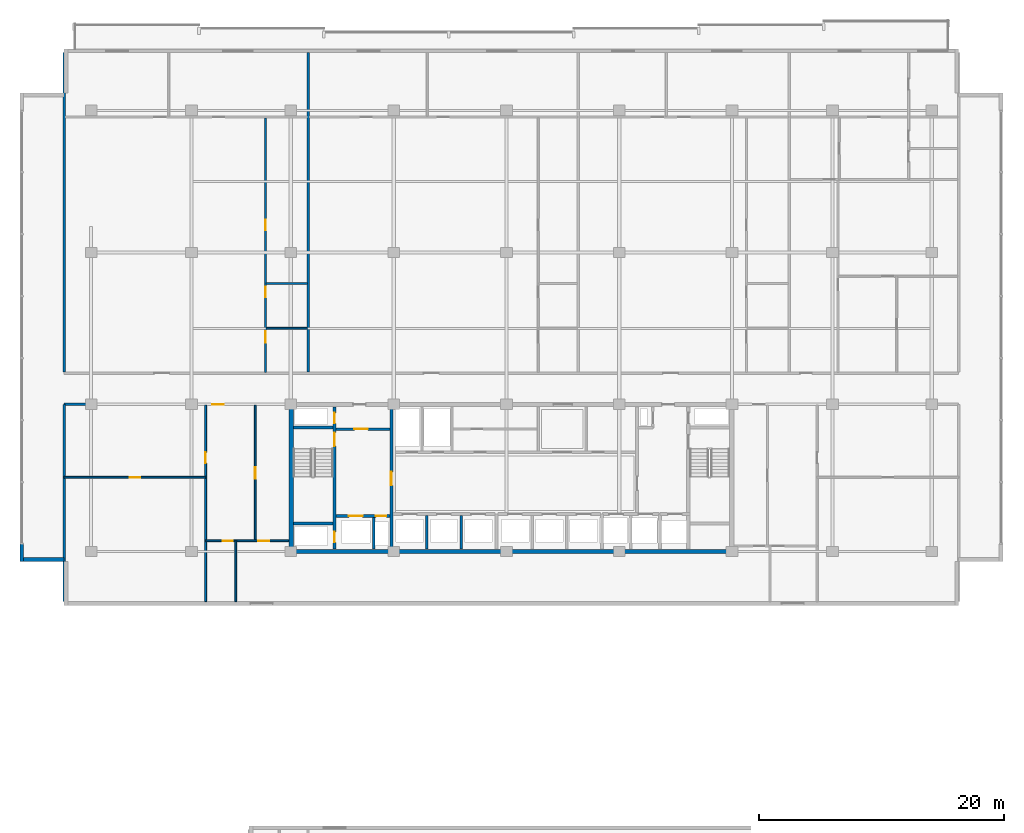
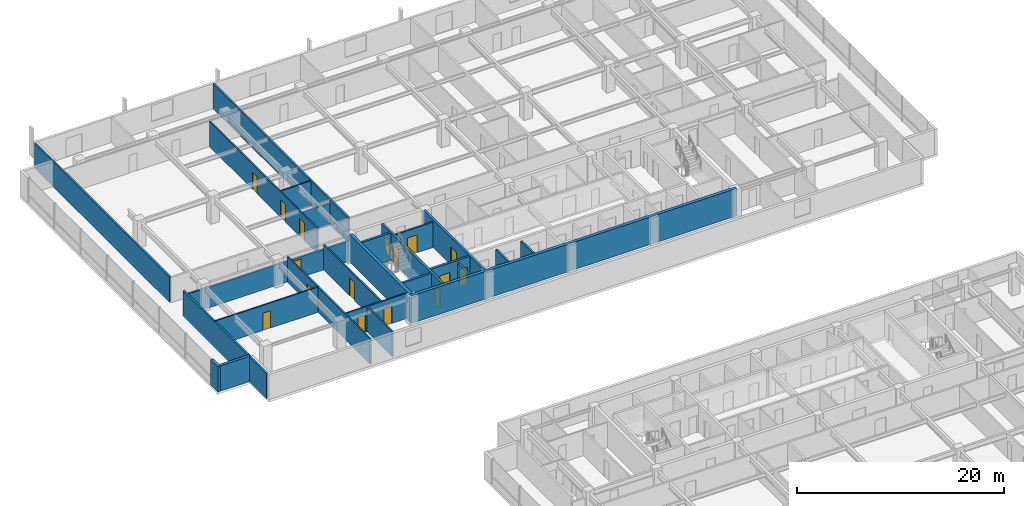
# One storey, part 27 of 38: 25 walls, 16 doors, 16 openings.
"""IFC4 building model written with IfcOpenShell, lengths in metres."""

from ifc_helpers import new_model, si_unit, direction, frame, frame_2d, origin, place, context, subcontext, project, spatial, rectangle, extrude, material, layer, layer_set, type_object, element, fill, save


model = new_model("IFC4")

# Units and contexts
model_context = context("Model", 3, precision=1e-05, world=origin(), true_north=direction((0.0, 1.0)))
body_context = subcontext(model_context, "Body", "Model", "MODEL_VIEW")
ifc_project = project(units=[si_unit("LENGTHUNIT", "METRE"), si_unit("AREAUNIT", "SQUARE_METRE"), si_unit("VOLUMEUNIT", "CUBIC_METRE"), si_unit("PLANEANGLEUNIT", "RADIAN"), si_unit("MASSUNIT", "GRAM", prefix="KILO")], contexts=[model_context])

# Site, building, storey
site_placement = place(None, origin())
site = spatial("IfcSite", under=ifc_project, at=site_placement, CompositionType="ELEMENT")
building_placement = place(site_placement, origin())
building = spatial("IfcBuilding", under=site, at=building_placement, Name="Korimba Cascade Residences", CompositionType="ELEMENT")
storey_placement = place(building_placement, frame((0.0, 0.0, 93.800048828125)))
storey = spatial("IfcBuildingStorey", under=building, at=storey_placement, Name="L26", CompositionType="ELEMENT", Elevation=93.800048828125)

# Walls
ifc_material_1 = material(Name="Precast concrete C40/50", Category="concrete")
ifc_layer_1 = layer(ifc_material_1, 0.300048828125)
ifc_layer_set_1 = layer_set([ifc_layer_1], Name="Precast concrete C40/50")
wall_type_1 = type_object("IfcWallType", Name="EW-STONE-300", PredefinedType="STANDARD", material=ifc_layer_set_1)
wall_1_placement = place(storey_placement, frame((54.14990234375, 55.800048828125, 0.0), z_axis=(0.0, 0.0, 1.0), x_axis=(0.0, -1.0, 0.0)))
element("IfcWall", 1, at=wall_1_placement, inside=storey, type_object=wall_type_1, Name="L26 T1 Sky Pier 9B", PredefinedType="STANDARD", context=body_context, shape_type="SweptSolid", body=[
    extrude(rectangle(XDim=1.400146484375, YDim=0.300048828125, at=frame_2d((0.7001953125, 0.0))), origin(), (0.0, 0.0, 1.0), 2.969970703125),
])
wall_2_placement = place(storey_placement, frame((54.0, 54.550048828125, 0.0), z_axis=(0.0, 0.0, 1.0), x_axis=(1.0, 0.0, 0.0)))
element("IfcWall", 2, at=wall_2_placement, inside=storey, type_object=wall_type_1, Name="L26 T1 Perimeter Stone Wall E10", PredefinedType="STANDARD", context=body_context, shape_type="SweptSolid", body=[
    extrude(rectangle(XDim=3.60009765625, YDim=0.300048828125, at=frame_2d((1.800048828125, 0.0))), origin(), (0.0, 0.0, 1.0), 2.969970703125),
])
ifc_material_2 = material(Name="Concrete C65/80", Category="concrete")
ifc_layer_2 = layer(ifc_material_2, 0.35009765625)
ifc_layer_set_2 = layer_set([ifc_layer_2], Name="Concrete C65/80")
wall_type_2 = type_object("IfcWallType", Name="WAL-CORE-350", PredefinedType="SHEAR", material=ifc_layer_set_2)
wall_3_placement = place(storey_placement, frame((75.949951171875, 55.199951171875, 0.0), z_axis=(0.0, 0.0, 1.0), x_axis=(1.0, 0.0, 0.0)))
element("IfcWall", 3, at=wall_3_placement, inside=storey, type_object=wall_type_2, Name="L26 Core Shear Wall CW-L26-T1-S", PredefinedType="SHEAR", context=body_context, shape_type="SweptSolid", body=[
    extrude(rectangle(XDim=36.300048828125, YDim=0.35009765625, at=frame_2d((18.14990234375, 0.0))), origin(), (0.0, 0.0, 1.0), 3.25),
])
wall_4_placement = place(storey_placement, frame((76.125, 55.375, 0.0), z_axis=(0.0, 0.0, 1.0), x_axis=(0.0, 1.0, 0.0)))
element("IfcWall", 4, at=wall_4_placement, inside=storey, type_object=wall_type_2, Name="L26 Core Shear Wall CW-L26-T1-W", PredefinedType="SHEAR", context=body_context, shape_type="SweptSolid", body=[
    extrude(rectangle(XDim=11.64990234375, YDim=0.35009765625, at=frame_2d((5.824951171875, 0.0))), origin(), (0.0, 0.0, 1.0), 3.25),
])
ifc_layer_3 = layer(ifc_material_1, 0.199951171875)
ifc_layer_set_3 = layer_set([ifc_layer_3], Name="Precast concrete C40/50")
wall_type_3 = type_object("IfcWallType", Name="WAL-IT-200", PredefinedType="PARTITIONING", material=ifc_layer_set_3)
wall_5_placement = place(storey_placement, frame((57.60009765625, 51.10009765625, 0.0), z_axis=(0.0, 0.0, 1.0), x_axis=(0.0, 1.0, 0.0)))
element("IfcWall", 5, at=wall_5_placement, inside=storey, type_object=wall_type_3, Name="L26 Partition Wall WAL-L26-T1-FW-WL", PredefinedType="PARTITIONING", context=body_context, shape_type="SweptSolid", body=[
    extrude(rectangle(XDim=16.099853515625, YDim=0.199951171875, at=frame_2d((8.0498046875, 0.0))), origin(), (0.0, 0.0, 1.0), 2.969970703125),
])

# Wall, opening, door
wall_6_placement = place(storey_placement, frame((57.60009765625, 67.199951171875, 0.0), z_axis=(0.0, 0.0, 1.0), x_axis=(1.0, 0.0, 0.0)))
wall_6 = element("IfcWall", 6, at=wall_6_placement, inside=storey, type_object=wall_type_3, Name="L26 Partition Wall WAL-L26-T1-FW-N", PredefinedType="PARTITIONING", context=body_context, shape_type="SweptSolid", body=[
    extrude(rectangle(XDim=18.349853515625, YDim=0.199951171875, at=frame_2d((9.1748046875, 0.0))), origin(), (0.0, 0.0, 1.0), 2.433349609375),
])
opening_1_placement = place(wall_6_placement, frame((12.07470703125, 0.0, 0.0)))
opening_1 = element("IfcOpeningElement", 7, at=opening_1_placement, cuts=wall_6, Name="Opening D-UN1", PredefinedType="OPENING", context=body_context, shape_type="SweptSolid", body=[
    extrude(rectangle(XDim=0.949951171875, YDim=2.14990234375, at=frame_2d((0.47509765625, 1.074951171875))), frame((0.0, 0.10986328125, 0.0), z_axis=(0.0, -1.0, 0.0), x_axis=(1.0, 0.0, 0.0)), (0.0, 0.0, 1.0), 0.219970703125),
])
ifc_material_3 = material(Name="Fire-Rated Hardwood Apartment Entrance Door", Category="wood")
door_type_1 = type_object("IfcDoorType", Name="DR-FD60-950", OperationType="NOTDEFINED", PredefinedType="DOOR", material=ifc_material_3)
door_1_placement = place(opening_1_placement, origin())
door_1 = element("IfcDoor", 8, at=door_1_placement, inside=storey, type_object=door_type_1, Name="L26-T1-FW Entrance Door", OperationType="SINGLE_SWING_LEFT", OverallHeight=2.14990234375, OverallWidth=0.949951171875, PredefinedType="DOOR", context=body_context, shape_type="SweptSolid", body=[
    extrude(rectangle(XDim=0.949951171875, YDim=2.14990234375, at=frame_2d((0.47509765625, 1.074951171875))), frame((0.0, 0.02490234375, 0.0), z_axis=(0.0, -1.0, 0.0), x_axis=(1.0, 0.0, 0.0)), (0.0, 0.0, 1.0), 0.050048828125),
])
fill(opening_1, door_1)

# Walls
for number, where, z_axis, x_axis, name in (
    (9, (57.60009765625, 69.830078125, 0.0), (0.0, 0.0, 1.0), (0.0, 1.0, 0.0), "L26 Partition Wall WAL-L26-T1-BNDWL"),
    (10, (77.5283203125, 69.830078125, 0.0), (0.0, 0.0, 1.0), (0.0, 1.0, 0.0), "L26 Partition Wall WAL-L26-T1-DEM-1"),
):
    element("IfcWall", number, at=place(storey_placement, frame(where, z_axis=z_axis, x_axis=x_axis)), inside=storey, type_object=wall_type_3, Name=name, PredefinedType="PARTITIONING", context=body_context, shape_type="SweptSolid", body=[
        extrude(rectangle(XDim=26.06982421875, YDim=0.199951171875, at=frame_2d((13.034912109375, 0.0))), origin(), (0.0, 0.0, 1.0), 2.969970703125),
    ])

# Wall, opening, door
ifc_material_4 = material(Name="Insulated Acoustic Stud Partition", Category="gypsum")
ifc_layer_4 = layer(ifc_material_4, 0.14990234375)
ifc_layer_set_4 = layer_set([ifc_layer_4], Name="Insulated Acoustic Stud Partition")
wall_type_4 = type_object("IfcWallType", Name="WAL-PART-150", PredefinedType="PARTITIONING", material=ifc_layer_set_4)
wall_7_placement = place(storey_placement, frame((57.60009765625, 61.25, 0.0), z_axis=(0.0, 0.0, 1.0), x_axis=(1.0, 0.0, 0.0)))
wall_7 = element("IfcWall", 11, at=wall_7_placement, inside=storey, type_object=wall_type_4, Name="L26 Partition Wall WAL-L26-T1-FW-STH", PredefinedType="PARTITIONING", context=body_context, shape_type="SweptSolid", body=[
    extrude(rectangle(XDim=11.5498046875, YDim=0.14990234375, at=frame_2d((5.77490234375, 0.0))), origin(), (0.0, 0.0, 1.0), 2.969970703125),
])
opening_2_placement = place(wall_7_placement, frame((5.35498046875, 0.0, 0.0)))
opening_2 = element("IfcOpeningElement", 12, at=opening_2_placement, cuts=wall_7, Name="Opening D-BT1", PredefinedType="OPENING", context=body_context, shape_type="SweptSolid", body=[
    extrude(rectangle(XDim=0.840087890625, YDim=2.0400390625, at=frame_2d((0.419921875, 1.02001953125))), frame((0.0, 0.0849609375, 0.0), z_axis=(0.0, -1.0, 0.0), x_axis=(1.0, 0.0, 0.0)), (0.0, 0.0, 1.0), 0.169921875),
])
ifc_material_5 = material(Name="Moisture-Resistant Bathroom Timber Door", Category="wood")
door_type_2 = type_object("IfcDoorType", Name="DR-INT-850", OperationType="NOTDEFINED", PredefinedType="DOOR", material=ifc_material_5)
door_2_placement = place(opening_2_placement, origin())
door_2 = element("IfcDoor", 13, at=door_2_placement, inside=storey, type_object=door_type_2, Name="L26-T1-FW Dressing Store Door", OperationType="SINGLE_SWING_RIGHT", OverallHeight=2.0400390625, OverallWidth=0.840087890625, PredefinedType="DOOR", context=body_context, shape_type="SweptSolid", body=[
    extrude(rectangle(XDim=0.840087890625, YDim=2.0400390625, at=frame_2d((0.419921875, 1.02001953125))), frame((0.0, 0.02490234375, 0.0), z_axis=(0.0, -1.0, 0.0), x_axis=(1.0, 0.0, 0.0)), (0.0, 0.0, 1.0), 0.050048828125),
])
fill(opening_2, door_2)

wall_8_placement = place(storey_placement, frame((69.14990234375, 51.10009765625, 0.0), z_axis=(0.0, 0.0, 1.0), x_axis=(0.0, 1.0, 0.0)))
wall_8 = element("IfcWall", 14, at=wall_8_placement, inside=storey, type_object=wall_type_4, Name="L26 Partition Wall WAL-L26-T1-FW-STV", PredefinedType="PARTITIONING", context=body_context, shape_type="SweptSolid", body=[
    extrude(rectangle(XDim=16.0498046875, YDim=0.14990234375, at=frame_2d((8.02490234375, 0.0))), origin(), (0.0, 0.0, 1.0), 2.969970703125),
])
opening_3_placement = place(wall_8_placement, frame((11.300048828125, 0.0, 0.0)))
opening_3 = element("IfcOpeningElement", 15, at=opening_3_placement, cuts=wall_8, Name="Opening D-IN2", PredefinedType="OPENING", context=body_context, shape_type="SweptSolid", body=[
    extrude(rectangle(XDim=0.8798828125, YDim=2.06005859375, at=frame_2d((0.43994140625, 1.030029296875))), frame((0.0, 0.0849609375, 0.0), z_axis=(0.0, -1.0, 0.0), x_axis=(1.0, 0.0, 0.0)), (0.0, 0.0, 1.0), 0.169921875),
])
ifc_material_6 = material(Name="Acoustic Timber Bedroom Door", Category="wood")
door_type_3 = type_object("IfcDoorType", Name="DR-INT-880", OperationType="NOTDEFINED", PredefinedType="DOOR", material=ifc_material_6)
door_3_placement = place(opening_3_placement, origin())
door_3 = element("IfcDoor", 16, at=door_3_placement, inside=storey, type_object=door_type_3, Name="L26-T1-FW Study Door", OperationType="SINGLE_SWING_LEFT", OverallHeight=2.06005859375, OverallWidth=0.8798828125, PredefinedType="DOOR", context=body_context, shape_type="SweptSolid", body=[
    extrude(rectangle(XDim=0.8798828125, YDim=2.06005859375, at=frame_2d((0.43994140625, 1.030029296875))), frame((0.0, 0.02490234375, 0.0), z_axis=(0.0, -1.0, 0.0), x_axis=(1.0, 0.0, 0.0)), (0.0, 0.0, 1.0), 0.050048828125),
])
fill(opening_3, door_3)

wall_9_placement = place(storey_placement, frame((73.199951171875, 56.070068359375, 0.0), z_axis=(0.0, 0.0, 1.0), x_axis=(0.0, 1.0, 0.0)))
wall_9 = element("IfcWall", 17, at=wall_9_placement, inside=storey, type_object=wall_type_4, Name="L26 Partition Wall WAL-L26-T1-FW-VN", PredefinedType="PARTITIONING", context=body_context, shape_type="SweptSolid", body=[
    extrude(rectangle(XDim=11.079833984375, YDim=0.14990234375, at=frame_2d((5.5400390625, 0.0))), origin(), (0.0, 0.0, 1.0), 2.969970703125),
])
opening_4_placement = place(wall_9_placement, frame((5.080078125, 0.0, 0.0)))
opening_4 = element("IfcOpeningElement", 18, at=opening_4_placement, cuts=wall_9, Name="Opening D-IN1", PredefinedType="OPENING", context=body_context, shape_type="SweptSolid", body=[
    extrude(rectangle(XDim=0.919921875, YDim=2.080078125, at=frame_2d((0.4599609375, 1.0400390625))), frame((0.0, 0.0849609375, 0.0), z_axis=(0.0, -1.0, 0.0), x_axis=(1.0, 0.0, 0.0)), (0.0, 0.0, 1.0), 0.169921875),
])
ifc_material_7 = material(Name="Acoustic Timber Living Door", Category="wood")
door_type_4 = type_object("IfcDoorType", Name="DR-INT-920", OperationType="NOTDEFINED", PredefinedType="DOOR", material=ifc_material_7)
door_4_placement = place(opening_4_placement, origin())
door_4 = element("IfcDoor", 19, at=door_4_placement, inside=storey, type_object=door_type_4, Name="L26-T1-FW Living Door", OperationType="SINGLE_SWING_RIGHT", OverallHeight=2.080078125, OverallWidth=0.919921875, PredefinedType="DOOR", context=body_context, shape_type="SweptSolid", body=[
    extrude(rectangle(XDim=0.919921875, YDim=2.080078125, at=frame_2d((0.4599609375, 1.0400390625))), frame((0.0, 0.02490234375, 0.0), z_axis=(0.0, -1.0, 0.0), x_axis=(1.0, 0.0, 0.0)), (0.0, 0.0, 1.0), 0.050048828125),
])
fill(opening_4, door_4)

# Wall
wall_10_placement = place(storey_placement, frame((71.60009765625, 51.10009765625, 0.0), z_axis=(0.0, 0.0, 1.0), x_axis=(0.0, 1.0, 0.0)))
element("IfcWall", 20, at=wall_10_placement, inside=storey, type_object=wall_type_4, Name="L26 Partition Wall WAL-L26-T1-FW-VS", PredefinedType="PARTITIONING", context=body_context, shape_type="SweptSolid", body=[
    extrude(rectangle(XDim=4.969970703125, YDim=0.14990234375, at=frame_2d((2.48486328125, 0.0))), origin(), (0.0, 0.0, 1.0), 2.969970703125),
])

# Wall, openings, doors
wall_11_placement = place(storey_placement, frame((69.169921875, 56.070068359375, 0.0), z_axis=(0.0, 0.0, 1.0), x_axis=(1.0, 0.0, 0.0)))
wall_11 = element("IfcWall", 21, at=wall_11_placement, inside=storey, type_object=wall_type_4, Name="L26 Partition Wall WAL-L26-T1-FW-H", PredefinedType="PARTITIONING", context=body_context, shape_type="SweptSolid", body=[
    extrude(rectangle(XDim=6.760009765625, YDim=0.14990234375, at=frame_2d((3.3798828125, 0.0))), origin(), (0.0, 0.0, 1.0), 2.969970703125),
])
opening_5_placement = place(wall_11_placement, frame((1.3623046875, 0.0, 0.0)))
opening_5 = element("IfcOpeningElement", 22, at=opening_5_placement, cuts=wall_11, Name="Opening D-BT1", PredefinedType="OPENING", context=body_context, shape_type="SweptSolid", body=[
    extrude(rectangle(XDim=0.840087890625, YDim=2.0400390625, at=frame_2d((0.419921875, 1.02001953125))), frame((0.0, 0.0849609375, 0.0), z_axis=(0.0, -1.0, 0.0), x_axis=(1.0, 0.0, 0.0)), (0.0, 0.0, 1.0), 0.169921875),
])
opening_6_placement = place(wall_11_placement, frame((4.276611328125, 0.0, 0.0)))
opening_6 = element("IfcOpeningElement", 23, at=opening_6_placement, cuts=wall_11, Name="Opening D-IN2", PredefinedType="OPENING", context=body_context, shape_type="SweptSolid", body=[
    extrude(rectangle(XDim=0.8798828125, YDim=2.06005859375, at=frame_2d((0.43994140625, 1.030029296875))), frame((0.0, 0.0849609375, 0.0), z_axis=(0.0, -1.0, 0.0), x_axis=(1.0, 0.0, 0.0)), (0.0, 0.0, 1.0), 0.169921875),
])
door_5_placement = place(opening_5_placement, origin())
door_5 = element("IfcDoor", 24, at=door_5_placement, inside=storey, type_object=door_type_2, Name="L26-T1-FW Bathroom Door", OperationType="SINGLE_SWING_LEFT", OverallHeight=2.0400390625, OverallWidth=0.840087890625, PredefinedType="DOOR", context=body_context, shape_type="SweptSolid", body=[
    extrude(rectangle(XDim=0.840087890625, YDim=2.0400390625, at=frame_2d((0.419921875, 1.02001953125))), frame((0.0, 0.02490234375, 0.0), z_axis=(0.0, -1.0, 0.0), x_axis=(1.0, 0.0, 0.0)), (0.0, 0.0, 1.0), 0.050048828125),
])
fill(opening_5, door_5)
door_6_placement = place(opening_6_placement, origin())
door_6 = element("IfcDoor", 25, at=door_6_placement, inside=storey, type_object=door_type_3, Name="L26-T1-FW Bedroom Door", OperationType="SINGLE_SWING_RIGHT", OverallHeight=2.06005859375, OverallWidth=0.8798828125, PredefinedType="DOOR", context=body_context, shape_type="SweptSolid", body=[
    extrude(rectangle(XDim=0.8798828125, YDim=2.06005859375, at=frame_2d((0.43994140625, 1.030029296875))), frame((0.0, 0.02490234375, 0.0), z_axis=(0.0, -1.0, 0.0), x_axis=(1.0, 0.0, 0.0)), (0.0, 0.0, 1.0), 0.050048828125),
])
fill(opening_6, door_6)

# Walls
wall_12_placement = place(storey_placement, frame((74.08837890625, 73.419921875, 0.0), z_axis=(0.0, 0.0, 1.0), x_axis=(1.0, 0.0, 0.0)))
element("IfcWall", 26, at=wall_12_placement, inside=storey, type_object=wall_type_4, Name="L26 Partition Wall WAL-L26-T1-U01-WCH", PredefinedType="PARTITIONING", context=body_context, shape_type="SweptSolid", body=[
    extrude(rectangle(XDim=3.360107421875, YDim=0.14990234375, at=frame_2d((1.68017578125, 0.0))), origin(), (0.0, 0.0, 1.0), 2.560546875),
])
wall_13_placement = place(storey_placement, frame((74.08837890625, 77.070068359375, 0.0), z_axis=(0.0, 0.0, 1.0), x_axis=(1.0, 0.0, 0.0)))
element("IfcWall", 27, at=wall_13_placement, inside=storey, type_object=wall_type_4, Name="L26 Partition Wall WAL-L26-T1-U01-WCH2", PredefinedType="PARTITIONING", context=body_context, shape_type="SweptSolid", body=[
    extrude(rectangle(XDim=3.360107421875, YDim=0.14990234375, at=frame_2d((1.68017578125, 0.0))), origin(), (0.0, 0.0, 1.0), 2.969970703125),
])

# Wall, openings, doors
wall_14_placement = place(storey_placement, frame((74.0283203125, 69.81005859375, 0.0), z_axis=(0.0, 0.0, 1.0), x_axis=(0.0, 1.0, 0.0)))
wall_14 = element("IfcWall", 28, at=wall_14_placement, inside=storey, type_object=wall_type_4, Name="L26 Partition Wall WAL-L26-T1-U01-WCV", PredefinedType="PARTITIONING", context=body_context, shape_type="SweptSolid", body=[
    extrude(rectangle(XDim=20.780029296875, YDim=0.14990234375, at=frame_2d((10.39013671875, 0.0))), origin(), (0.0, 0.0, 1.0), 2.969970703125),
])
opening_7_placement = place(wall_14_placement, frame((2.406005859375, 0.0, 0.0)))
opening_7 = element("IfcOpeningElement", 29, at=opening_7_placement, cuts=wall_14, Name="Opening D-AC1", PredefinedType="OPENING", context=body_context, shape_type="SweptSolid", body=[
    extrude(rectangle(XDim=0.9599609375, YDim=2.10009765625, at=frame_2d((0.47998046875, 1.050048828125))), frame((0.0, 0.0849609375, 0.0), z_axis=(0.0, -1.0, 0.0), x_axis=(1.0, 0.0, 0.0)), (0.0, 0.0, 1.0), 0.169921875),
])
opening_8_placement = place(wall_14_placement, frame((6.132568359375, 0.0, 0.0)))
opening_8 = element("IfcOpeningElement", 30, at=opening_8_placement, cuts=wall_14, Name="Opening D-IN2", PredefinedType="OPENING", context=body_context, shape_type="SweptSolid", body=[
    extrude(rectangle(XDim=0.8798828125, YDim=2.06005859375, at=frame_2d((0.43994140625, 1.030029296875))), frame((0.0, 0.0849609375, 0.0), z_axis=(0.0, -1.0, 0.0), x_axis=(1.0, 0.0, 0.0)), (0.0, 0.0, 1.0), 0.169921875),
])
opening_9_placement = place(wall_14_placement, frame((11.61474609375, 0.0, 0.0)))
opening_9 = element("IfcOpeningElement", 31, at=opening_9_placement, cuts=wall_14, Name="Opening D-BT1", PredefinedType="OPENING", context=body_context, shape_type="SweptSolid", body=[
    extrude(rectangle(XDim=0.840087890625, YDim=2.0400390625, at=frame_2d((0.419921875, 1.02001953125))), frame((0.0, 0.0849609375, 0.0), z_axis=(0.0, -1.0, 0.0), x_axis=(1.0, 0.0, 0.0)), (0.0, 0.0, 1.0), 0.169921875),
])
ifc_material_8 = material(Name="Accessible Acoustic Timber WC Door", Category="wood")
door_type_5 = type_object("IfcDoorType", Name="DR-ACC-950", OperationType="NOTDEFINED", PredefinedType="DOOR", material=ifc_material_8)
door_7_placement = place(opening_7_placement, origin())
door_7 = element("IfcDoor", 32, at=door_7_placement, inside=storey, type_object=door_type_5, Name="L26-T1-U01 Accessible WC Door", OperationType="SINGLE_SWING_RIGHT", OverallHeight=2.10009765625, OverallWidth=0.9599609375, PredefinedType="DOOR", context=body_context, shape_type="SweptSolid", body=[
    extrude(rectangle(XDim=0.9599609375, YDim=2.10009765625, at=frame_2d((0.47998046875, 1.050048828125))), frame((0.0, 0.02490234375, 0.0), z_axis=(0.0, -1.0, 0.0), x_axis=(1.0, 0.0, 0.0)), (0.0, 0.0, 1.0), 0.050048828125),
])
fill(opening_7, door_7)
door_8_placement = place(opening_9_placement, origin())
door_8 = element("IfcDoor", 33, at=door_8_placement, inside=storey, type_object=door_type_2, Name="L26-T1-U01 Suite Store Door", OperationType="SINGLE_SWING_RIGHT", OverallHeight=2.0400390625, OverallWidth=0.840087890625, PredefinedType="DOOR", context=body_context, shape_type="SweptSolid", body=[
    extrude(rectangle(XDim=0.840087890625, YDim=2.0400390625, at=frame_2d((0.419921875, 1.02001953125))), frame((0.0, 0.02490234375, 0.0), z_axis=(0.0, -1.0, 0.0), x_axis=(1.0, 0.0, 0.0)), (0.0, 0.0, 1.0), 0.050048828125),
])
fill(opening_9, door_8)
door_9_placement = place(opening_8_placement, origin())
door_9 = element("IfcDoor", 34, at=door_9_placement, inside=storey, type_object=door_type_3, Name="L26-T1-U01 Restroom WC Door", OperationType="SINGLE_SWING_LEFT", OverallHeight=2.06005859375, OverallWidth=0.8798828125, PredefinedType="DOOR", context=body_context, shape_type="SweptSolid", body=[
    extrude(rectangle(XDim=0.8798828125, YDim=2.06005859375, at=frame_2d((0.43994140625, 1.030029296875))), frame((0.0, 0.02490234375, 0.0), z_axis=(0.0, -1.0, 0.0), x_axis=(1.0, 0.0, 0.0)), (0.0, 0.0, 1.0), 0.050048828125),
])
fill(opening_8, door_9)

# Wall
ifc_material_9 = material(Name="Concrete C40/50", Category="concrete")
ifc_layer_5 = layer(ifc_material_9, 0.199951171875)
ifc_layer_set_5 = layer_set([ifc_layer_5], Name="Concrete C40/50")
wall_type_5 = type_object("IfcWallType", Name="WAL-PART-200", PredefinedType="PARTITIONING", material=ifc_layer_set_5)
wall_15_placement = place(storey_placement, frame((82.85009765625, 55.39990234375, 0.0), z_axis=(0.0, 0.0, 1.0), x_axis=(0.0, 1.0, 0.0)))
element("IfcWall", 35, at=wall_15_placement, inside=storey, type_object=wall_type_5, Name="L26 Partition Wall CW-L26-T1-FFLDIV", PredefinedType="PARTITIONING", context=body_context, shape_type="SweptSolid", body=[
    extrude(rectangle(XDim=2.56005859375, YDim=0.199951171875, at=frame_2d((1.280029296875, 0.0))), origin(), (0.0, 0.0, 1.0), 2.969970703125),
])

# Wall, opening, door
wall_16_placement = place(storey_placement, frame((79.7900390625, 65.179931640625, 0.0), z_axis=(0.0, 0.0, 1.0), x_axis=(1.0, 0.0, 0.0)))
wall_16 = element("IfcWall", 36, at=wall_16_placement, inside=storey, type_object=wall_type_5, Name="L26 Partition Wall CW-L26-T1-FFLN", PredefinedType="PARTITIONING", context=body_context, shape_type="SweptSolid", body=[
    extrude(rectangle(XDim=4.389892578125, YDim=0.199951171875, at=frame_2d((2.19482421875, 0.0))), origin(), (0.0, 0.0, 1.0), 2.969970703125),
])
opening_10_placement = place(wall_16_placement, frame((1.5, 0.0, 0.0)))
opening_10 = element("IfcOpeningElement", 37, at=opening_10_placement, cuts=wall_16, Name="Opening D-FD1", PredefinedType="OPENING", context=body_context, shape_type="SweptSolid", body=[
    extrude(rectangle(XDim=1.10009765625, YDim=2.10009765625, at=frame_2d((0.550048828125, 1.050048828125))), frame((0.0, 0.10986328125, 0.0), z_axis=(0.0, -1.0, 0.0), x_axis=(1.0, 0.0, 0.0)), (0.0, 0.0, 1.0), 0.219970703125),
])
ifc_material_10 = material(Name="Fire-Rated Steel Core Door", Category="steel")
door_type_6 = type_object("IfcDoorType", Name="DR-FD120-1100", OperationType="NOTDEFINED", PredefinedType="DOOR", material=ifc_material_10)
door_10_placement = place(opening_10_placement, origin())
door_10 = element("IfcDoor", 38, at=door_10_placement, inside=storey, type_object=door_type_6, Name="L26 West Firefighting Lobby Door", OperationType="SINGLE_SWING_LEFT", OverallHeight=2.10009765625, OverallWidth=1.10009765625, PredefinedType="DOOR", context=body_context, shape_type="SweptSolid", body=[
    extrude(rectangle(XDim=1.10009765625, YDim=2.10009765625, at=frame_2d((0.550048828125, 1.050048828125))), frame((0.0, 0.02490234375, 0.0), z_axis=(0.0, -1.0, 0.0), x_axis=(1.0, 0.0, 0.0)), (0.0, 0.0, 1.0), 0.050048828125),
])
fill(opening_10, door_10)

# Walls
for number, where, z_axis, x_axis, name in (
    (39, (87.199951171875, 55.39990234375, 0.0), (0.0, 0.0, 1.0), (0.0, 1.0, 0.0), "L26 Partition Wall CW-L26-T1-B1D1"),
    (40, (90.0, 55.39990234375, 0.0), (0.0, 0.0, 1.0), (0.0, 1.0, 0.0), "L26 Partition Wall CW-L26-T1-B1D2"),
):
    element("IfcWall", number, at=place(storey_placement, frame(where, z_axis=z_axis, x_axis=x_axis)), inside=storey, type_object=wall_type_5, Name=name, PredefinedType="PARTITIONING", context=body_context, shape_type="SweptSolid", body=[
        extrude(rectangle(XDim=2.72021484375, YDim=0.199951171875, at=frame_2d((1.360107421875, 0.0))), origin(), (0.0, 0.0, 1.0), 2.969970703125),
    ])

# Wall, openings, doors
ifc_material_11 = material(Name="Concrete C50/60", Category="concrete")
ifc_layer_6 = layer(ifc_material_11, 0.25)
ifc_layer_set_6 = layer_set([ifc_layer_6], Name="Concrete C50/60")
wall_type_6 = type_object("IfcWallType", Name="WAL-SHAFT-250", PredefinedType="SHEAR", material=ifc_layer_set_6)
wall_17_placement = place(storey_placement, frame((79.6650390625, 55.39990234375, 0.0), z_axis=(0.0, 0.0, 1.0), x_axis=(0.0, 1.0, 0.0)))
wall_17 = element("IfcWall", 41, at=wall_17_placement, inside=storey, type_object=wall_type_6, Name="L26 Core Shear Wall CW-L26-T1-STW1E", PredefinedType="SHEAR", context=body_context, shape_type="SweptSolid", body=[
    extrude(rectangle(XDim=11.60009765625, YDim=0.25, at=frame_2d((5.800048828125, 0.0))), origin(), (0.0, 0.0, 1.0), 3.25),
])
opening_11_placement = place(wall_17_placement, frame((0.550048828125, 0.0, 0.0)))
opening_11 = element("IfcOpeningElement", 42, at=opening_11_placement, cuts=wall_17, Name="Opening D-RS1", PredefinedType="OPENING", context=body_context, shape_type="SweptSolid", body=[
    extrude(rectangle(XDim=0.85009765625, YDim=2.050048828125, at=frame_2d((0.425048828125, 1.02490234375))), frame((0.0, 0.135009765625, 0.0), z_axis=(0.0, -1.0, 0.0), x_axis=(1.0, 0.0, 0.0)), (0.0, 0.0, 1.0), 0.27001953125),
])
opening_12_placement = place(wall_17_placement, frame((8.39990234375, 0.0, 0.0)))
opening_12 = element("IfcOpeningElement", 43, at=opening_12_placement, cuts=wall_17, Name="Opening D-FD1", PredefinedType="OPENING", context=body_context, shape_type="SweptSolid", body=[
    extrude(rectangle(XDim=1.10009765625, YDim=2.10009765625, at=frame_2d((0.550048828125, 1.050048828125))), frame((0.0, 0.135009765625, 0.0), z_axis=(0.0, -1.0, 0.0), x_axis=(1.0, 0.0, 0.0)), (0.0, 0.0, 1.0), 0.27001953125),
])
opening_13_placement = place(wall_17_placement, frame((10.25, 0.0, 0.0)))
opening_13 = element("IfcOpeningElement", 44, at=opening_13_placement, cuts=wall_17, Name="Opening D-RS1", PredefinedType="OPENING", context=body_context, shape_type="SweptSolid", body=[
    extrude(rectangle(XDim=0.85009765625, YDim=2.050048828125, at=frame_2d((0.425048828125, 1.02490234375))), frame((0.0, 0.135009765625, 0.0), z_axis=(0.0, -1.0, 0.0), x_axis=(1.0, 0.0, 0.0)), (0.0, 0.0, 1.0), 0.27001953125),
])
door_11_placement = place(opening_12_placement, origin())
door_11 = element("IfcDoor", 45, at=door_11_placement, inside=storey, type_object=door_type_6, Name="L26 Fire Stair ST-W1 Door", OperationType="SINGLE_SWING_RIGHT", OverallHeight=2.10009765625, OverallWidth=1.10009765625, PredefinedType="DOOR", context=body_context, shape_type="SweptSolid", body=[
    extrude(rectangle(XDim=1.10009765625, YDim=2.10009765625, at=frame_2d((0.550048828125, 1.050048828125))), frame((0.0, 0.02490234375, 0.0), z_axis=(0.0, -1.0, 0.0), x_axis=(1.0, 0.0, 0.0)), (0.0, 0.0, 1.0), 0.050048828125),
])
fill(opening_12, door_11)
ifc_material_12 = material(Name="Fire-Rated Steel Riser Access Door", Category="steel")
door_type_7 = type_object("IfcDoorType", Name="DR-FD60-850", OperationType="NOTDEFINED", PredefinedType="DOOR", material=ifc_material_12)
door_12_placement = place(opening_11_placement, origin())
door_12 = element("IfcDoor", 46, at=door_12_placement, inside=storey, type_object=door_type_7, Name="L26 Smoke Riser Access Door", OperationType="SINGLE_SWING_LEFT", OverallHeight=2.050048828125, OverallWidth=0.85009765625, PredefinedType="DOOR", context=body_context, shape_type="SweptSolid", body=[
    extrude(rectangle(XDim=0.85009765625, YDim=2.050048828125, at=frame_2d((0.425048828125, 1.02490234375))), frame((0.0, 0.02490234375, 0.0), z_axis=(0.0, -1.0, 0.0), x_axis=(1.0, 0.0, 0.0)), (0.0, 0.0, 1.0), 0.050048828125),
])
fill(opening_11, door_12)
door_13_placement = place(opening_13_placement, origin())
door_13 = element("IfcDoor", 47, at=door_13_placement, inside=storey, type_object=door_type_7, Name="L26 Hydrant Riser Access Door", OperationType="SINGLE_SWING_LEFT", OverallHeight=2.050048828125, OverallWidth=0.85009765625, PredefinedType="DOOR", context=body_context, shape_type="SweptSolid", body=[
    extrude(rectangle(XDim=0.85009765625, YDim=2.050048828125, at=frame_2d((0.425048828125, 1.02490234375))), frame((0.0, 0.02490234375, 0.0), z_axis=(0.0, -1.0, 0.0), x_axis=(1.0, 0.0, 0.0)), (0.0, 0.0, 1.0), 0.050048828125),
])
fill(opening_13, door_13)

# Walls
for number, where, z_axis, x_axis, name in (
    (48, (76.300048828125, 57.47509765625, 0.0), (0.0, 0.0, 1.0), (1.0, 0.0, 0.0), "L26 Core Shear Wall CW-L26-T1-STW1S"),
    (49, (76.300048828125, 65.324951171875, 0.0), (0.0, 0.0, 1.0), (1.0, 0.0, 0.0), "L26 Core Shear Wall CW-L26-T1-STW1N"),
):
    element("IfcWall", number, at=place(storey_placement, frame(where, z_axis=z_axis, x_axis=x_axis)), inside=storey, type_object=wall_type_6, Name=name, PredefinedType="SHEAR", context=body_context, shape_type="SweptSolid", body=[
        extrude(rectangle(XDim=3.239990234375, YDim=0.25, at=frame_2d((1.6201171875, 0.0))), origin(), (0.0, 0.0, 1.0), 3.25),
    ])

# Wall, openings, doors
wall_18_placement = place(storey_placement, frame((79.7900390625, 58.10009765625, 0.0), z_axis=(0.0, 0.0, 1.0), x_axis=(1.0, 0.0, 0.0)))
wall_18 = element("IfcWall", 50, at=wall_18_placement, inside=storey, type_object=wall_type_6, Name="L26 Core Shear Wall CW-L26-T1-FFLS", PredefinedType="SHEAR", context=body_context, shape_type="SweptSolid", body=[
    extrude(rectangle(XDim=4.389892578125, YDim=0.25, at=frame_2d((2.19482421875, 0.0))), origin(), (0.0, 0.0, 1.0), 3.25),
])
opening_14_placement = place(wall_18_placement, frame((1.050048828125, 0.0, 0.0)))
opening_14 = element("IfcOpeningElement", 51, at=opening_14_placement, cuts=wall_18, Name="Opening LD-01", PredefinedType="OPENING", context=body_context, shape_type="SweptSolid", body=[
    extrude(rectangle(XDim=1.1201171875, YDim=2.1201171875, at=frame_2d((0.56005859375, 1.06005859375))), frame((0.0, 0.135009765625, 0.0), z_axis=(0.0, -1.0, 0.0), x_axis=(1.0, 0.0, 0.0)), (0.0, 0.0, 1.0), 0.27001953125),
])
opening_15_placement = place(wall_18_placement, frame((3.260009765625, 0.0, 0.0)))
opening_15 = element("IfcOpeningElement", 52, at=opening_15_placement, cuts=wall_18, Name="Opening D-RS1", PredefinedType="OPENING", context=body_context, shape_type="SweptSolid", body=[
    extrude(rectangle(XDim=0.85009765625, YDim=2.050048828125, at=frame_2d((0.425048828125, 1.02490234375))), frame((0.0, 0.135009765625, 0.0), z_axis=(0.0, -1.0, 0.0), x_axis=(1.0, 0.0, 0.0)), (0.0, 0.0, 1.0), 0.27001953125),
])
door_14_placement = place(opening_15_placement, origin())
door_14 = element("IfcDoor", 53, at=door_14_placement, inside=storey, type_object=door_type_7, Name="L26 Pressurisation Riser Door", OperationType="SINGLE_SWING_RIGHT", OverallHeight=2.050048828125, OverallWidth=0.85009765625, PredefinedType="DOOR", context=body_context, shape_type="SweptSolid", body=[
    extrude(rectangle(XDim=0.85009765625, YDim=2.050048828125, at=frame_2d((0.425048828125, 1.02490234375))), frame((0.0, 0.02490234375, 0.0), z_axis=(0.0, -1.0, 0.0), x_axis=(1.0, 0.0, 0.0)), (0.0, 0.0, 1.0), 0.050048828125),
])
fill(opening_15, door_14)
ifc_material_13 = material(Name="Stainless Steel Lift Landing Sliding Door", Category="steel")
door_type_8 = type_object("IfcDoorType", Name="DR-LIFT-1100", OperationType="NOTDEFINED", PredefinedType="DOOR", material=ifc_material_13)
door_15_placement = place(opening_14_placement, origin())
door_15 = element("IfcDoor", 54, at=door_15_placement, inside=storey, type_object=door_type_8, Name="L26 Firefighting Lift Landing Door FFL-W1", OperationType="SLIDING_TO_LEFT", OverallHeight=2.1201171875, OverallWidth=1.1201171875, PredefinedType="DOOR", context=body_context, shape_type="SweptSolid", body=[
    extrude(rectangle(XDim=1.1201171875, YDim=2.1201171875, at=frame_2d((0.56005859375, 1.06005859375))), frame((0.0, 0.02490234375, 0.0), z_axis=(0.0, -1.0, 0.0), x_axis=(1.0, 0.0, 0.0)), (0.0, 0.0, 1.0), 0.050048828125),
])
fill(opening_14, door_15)

# Wall, opening, door
wall_19_placement = place(storey_placement, frame((84.300048828125, 55.39990234375, 0.0), z_axis=(0.0, 0.0, 1.0), x_axis=(0.0, 1.0, 0.0)))
wall_19 = element("IfcWall", 55, at=wall_19_placement, inside=storey, type_object=wall_type_6, Name="L26 Core Shear Wall CW-L26-T1-FFLE", PredefinedType="SHEAR", context=body_context, shape_type="SweptSolid", body=[
    extrude(rectangle(XDim=11.60009765625, YDim=0.25, at=frame_2d((5.800048828125, 0.0))), origin(), (0.0, 0.0, 1.0), 3.25),
])
opening_16_placement = place(wall_19_placement, frame((5.199951171875, 0.0, 0.0)))
opening_16 = element("IfcOpeningElement", 56, at=opening_16_placement, cuts=wall_19, Name="Opening D-FD1", PredefinedType="OPENING", context=body_context, shape_type="SweptSolid", body=[
    extrude(rectangle(XDim=1.10009765625, YDim=2.10009765625, at=frame_2d((0.550048828125, 1.050048828125))), frame((0.0, 0.135009765625, 0.0), z_axis=(0.0, -1.0, 0.0), x_axis=(1.0, 0.0, 0.0)), (0.0, 0.0, 1.0), 0.27001953125),
])
door_16_placement = place(opening_16_placement, origin())
door_16 = element("IfcDoor", 57, at=door_16_placement, inside=storey, type_object=door_type_6, Name="L26 Firefighting Lobby to Lift Lobby Door", OperationType="SINGLE_SWING_RIGHT", OverallHeight=2.10009765625, OverallWidth=1.10009765625, PredefinedType="DOOR", context=body_context, shape_type="SweptSolid", body=[
    extrude(rectangle(XDim=1.10009765625, YDim=2.10009765625, at=frame_2d((0.550048828125, 1.050048828125))), frame((0.0, 0.02490234375, 0.0), z_axis=(0.0, -1.0, 0.0), x_axis=(1.0, 0.0, 0.0)), (0.0, 0.0, 1.0), 0.050048828125),
])
fill(opening_16, door_16)

save(model, "model.ifc")
